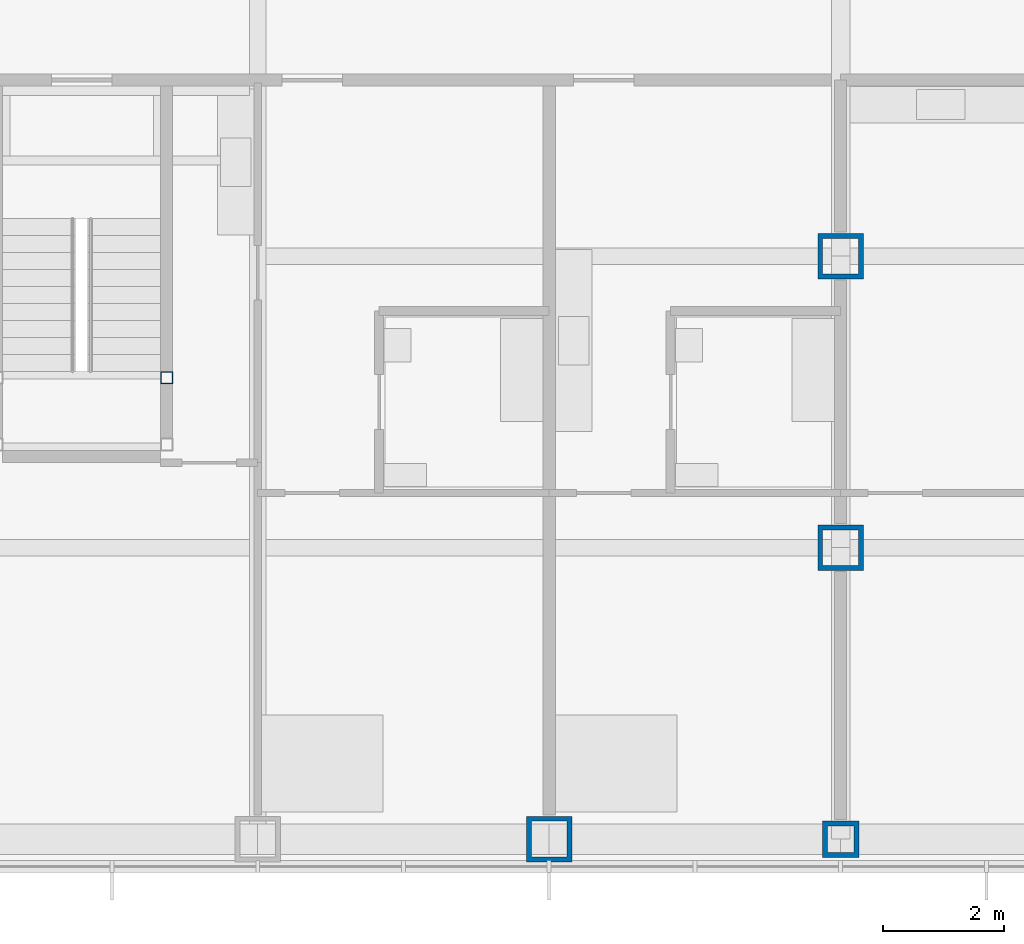
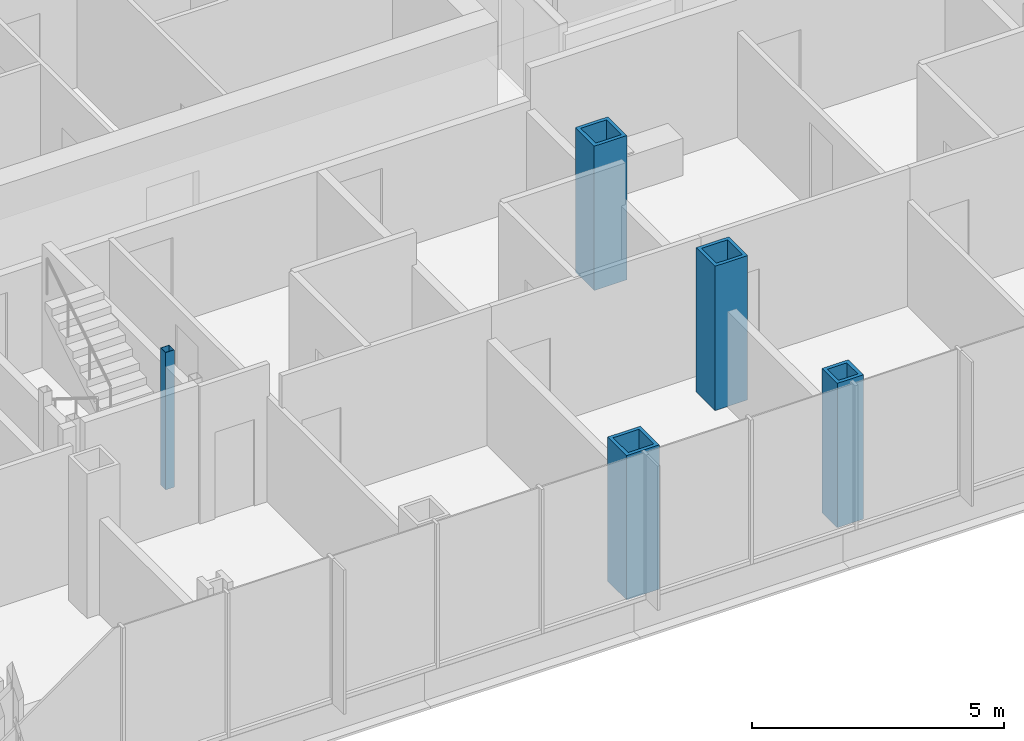
# One storey, part 2 of 21: 5 columns.
"""IFC4 building model written with IfcOpenShell, lengths in metres."""

from ifc_helpers import new_model, si_unit, direction, frame, origin, origin_2d, place, context, subcontext, project, spatial, hollow_rectangle, extrude, material, material_profile, profile_set, type_object, element, save


model = new_model("IFC4")

# Units and contexts
model_context = context("Model", 3, precision=1e-05, world=origin(), true_north=direction((0.0, 1.0)))
body_context = subcontext(model_context, "Body", "Model", "MODEL_VIEW")
ifc_project = project(units=[si_unit("LENGTHUNIT", "METRE"), si_unit("AREAUNIT", "SQUARE_METRE"), si_unit("VOLUMEUNIT", "CUBIC_METRE"), si_unit("PLANEANGLEUNIT", "RADIAN"), si_unit("MASSUNIT", "GRAM", prefix="KILO")], contexts=[model_context])

# Site, building, storey
site_placement = place(None, origin())
site = spatial("IfcSite", under=ifc_project, at=site_placement, CompositionType="ELEMENT")
building_placement = place(site_placement, origin())
building = spatial("IfcBuilding", under=site, at=building_placement, Name="Kvirike Care Tower", CompositionType="ELEMENT")
storey_placement = place(building_placement, frame((0.0, 0.0, 34.0)))
storey = spatial("IfcBuildingStorey", under=building, at=storey_placement, Name="L08", CompositionType="ELEMENT", Elevation=34.0)

# Columns
ifc_material_1 = material(Name="Steel S460", Category="steel")
ifc_material_profile_1 = material_profile(ifc_material_1, hollow_rectangle(XDim=0.60009765625, YDim=0.60009765625, WallThickness=0.080078125, at=origin_2d()), Name="BX 600x600x80")
ifc_profile_set_1 = profile_set([ifc_material_profile_1], Name="Steel S460")
column_type_1 = type_object("IfcColumnType", Name="COLUMN BX 600x600x80", PredefinedType="COLUMN", material=ifc_profile_set_1)
column_1_placement = place(storey_placement, frame((28.800048828125, 14.39990234375, 0.0), z_axis=(0.0, 0.0, 1.0), x_axis=(0.0, 1.0, 0.0)))
element("IfcColumn", 1, at=column_1_placement, inside=storey, type_object=column_type_1, Name="Column D9 L08", PredefinedType="COLUMN", context=body_context, shape_type="SweptSolid", body=[
    extrude(hollow_rectangle(XDim=0.60009765625, YDim=0.60009765625, WallThickness=0.080078125, at=origin_2d()), origin(), (0.0, 0.0, 1.0), 3.5),
])
ifc_material_2 = material(Name="Steel S460", Category="steel")
ifc_material_profile_2 = material_profile(ifc_material_2, hollow_rectangle(XDim=0.75, YDim=0.75, WallThickness=0.080078125, at=origin_2d()), Name="BX 750x750x80")
ifc_profile_set_2 = profile_set([ifc_material_profile_2], Name="Steel S460")
column_type_2 = type_object("IfcColumnType", Name="COLUMN BX 750x750x80", PredefinedType="COLUMN", material=ifc_profile_set_2)
for number, where, z_axis, x_axis, name in (
    (2, (24.0, 14.39990234375, 0.0), (0.0, 0.0, 1.0), (0.0, 1.0, 0.0), "Column D8 L08"),
    (3, (28.800048828125, 19.199951171875, 0.0), (0.0, 0.0, 1.0), (1.0, 0.0, 0.0), "Column E9 L08"),
    (4, (28.800048828125, 24.0, 0.0), (0.0, 0.0, 1.0), (1.0, 0.0, 0.0), "Column F9 L08"),
):
    element("IfcColumn", number, at=place(storey_placement, frame(where, z_axis=z_axis, x_axis=x_axis)), inside=storey, type_object=column_type_2, Name=name, PredefinedType="COLUMN", context=body_context, shape_type="SweptSolid", body=[
        extrude(hollow_rectangle(XDim=0.75, YDim=0.75, WallThickness=0.080078125, at=origin_2d()), origin(), (0.0, 0.0, 1.0), 3.5),
    ])
ifc_material_3 = material(Name="Steel S460", Category="steel")
ifc_material_profile_3 = material_profile(ifc_material_3, hollow_rectangle(XDim=0.199951171875, YDim=0.199951171875, WallThickness=0.008056640625, at=origin_2d()), Name="SHS 200x200x8")
ifc_profile_set_3 = profile_set([ifc_material_profile_3], Name="Steel S460")
column_type_3 = type_object("IfcColumnType", Name="STAIR POST SHS 200x200x8", PredefinedType="COLUMN", material=ifc_profile_set_3)
column_2_placement = place(storey_placement, frame((17.699951171875, 22.0, 0.0), z_axis=(0.0, 0.0, 1.0), x_axis=(1.0, 0.0, 0.0)))
element("IfcColumn", 5, at=column_2_placement, inside=storey, type_object=column_type_3, Name="Stair 5 post 4 L08", PredefinedType="COLUMN", context=body_context, shape_type="SweptSolid", body=[
    extrude(hollow_rectangle(XDim=0.199951171875, YDim=0.199951171875, WallThickness=0.008056640625, at=origin_2d()), origin(), (0.0, 0.0, 1.0), 3.330078125),
])

save(model, "model.ifc")
